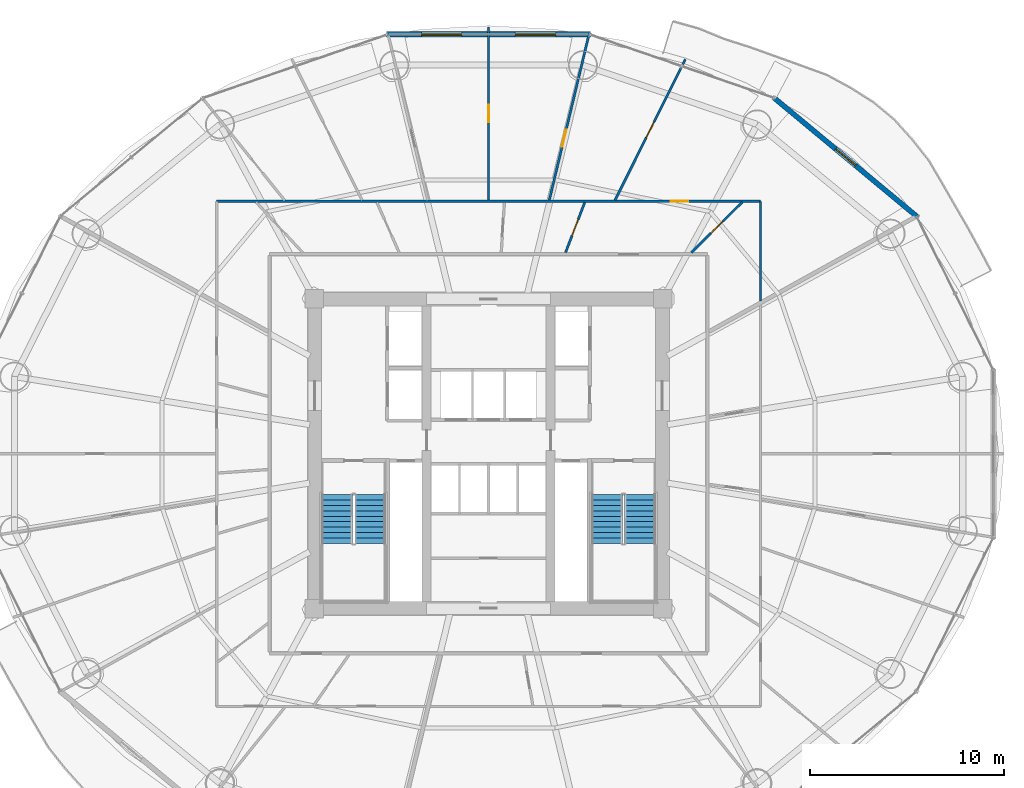
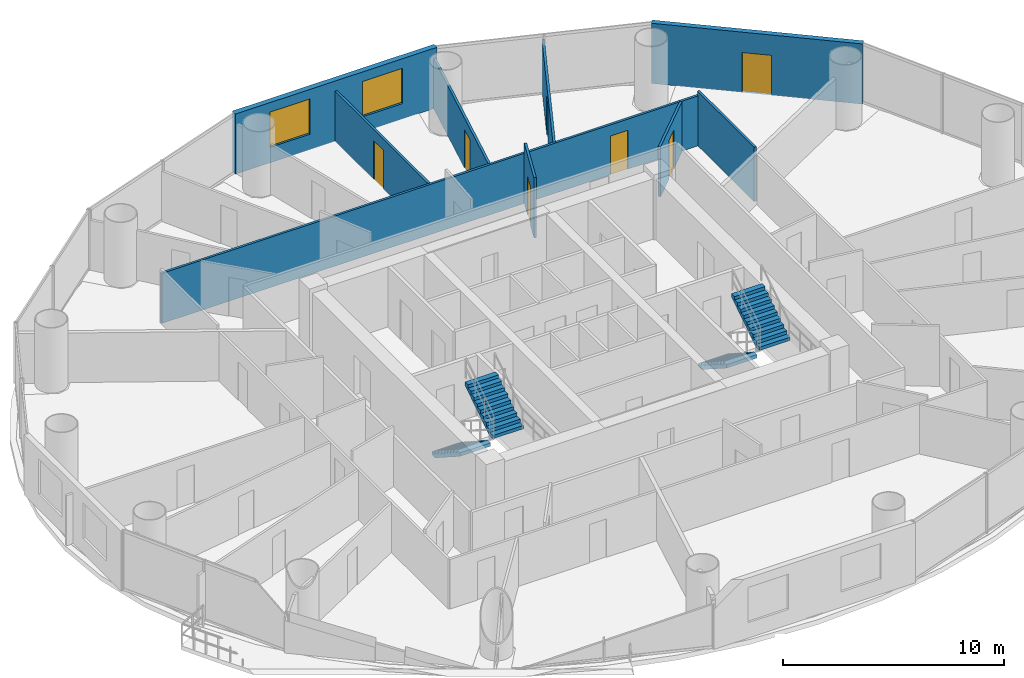
# One storey, part 25 of 29: 9 walls, 7 doors, 4 stair flights, 2 windows, 9 openings, 2 elements without a shape of their own.
"""IFC4 building model written with IfcOpenShell, lengths in metres."""

import ifcopenshell
import ifcopenshell.guid

model = None  # the IFC model being written
_history = None  # IfcOwnerHistory: only IFC2X3 demands one
_inside = {}  # id of a spatial element -> (the spatial element, [elements in it])
_under = {}  # id of a project, library or spatial element -> (it, [spatial elements below it])
_declared = {}  # id of a project -> (the project, [libraries it declares])
_typed = {}  # id of a type object -> (the type object, [elements of that type])
_made_of = {}  # id of a material, layer set ... -> (it, [elements and type objects made of it])


def new_model(schema):
    """Start an empty IFC model of exactly this schema.

    Asked for "IFC4X3", IfcOpenShell would pick the latest addendum, in which some entities
    have other attributes; the version numbers below select the first issue.
    IFC2X3 requires an IfcOwnerHistory on every rooted entity: one is made here for all.
    """
    global model, _history
    if schema == "IFC4X3":
        model = ifcopenshell.file(schema_version=(4, 3, 0, 0))
    else:
        model = ifcopenshell.file(schema=schema)
    _inside.clear()
    _under.clear()
    _declared.clear()
    _typed.clear()
    _made_of.clear()
    _history = None
    if model.schema == "IFC2X3":
        org = make("IfcOrganization", Name="unknown")
        user = make(
            "IfcPersonAndOrganization",
            ThePerson=make("IfcPerson", FamilyName="unknown"),
            TheOrganization=org,
        )
        app = make(
            "IfcApplication",
            ApplicationDeveloper=org,
            Version="unknown",
            ApplicationFullName="unknown",
            ApplicationIdentifier="unknown",
        )
        _history = make(
            "IfcOwnerHistory",
            OwningUser=user,
            OwningApplication=app,
            ChangeAction="ADDED",
            CreationDate=0,
        )
    return model


def make(cls, **values):
    """One entity of the class cls with the attributes given. An attribute that is None is left unset."""
    return model.create_entity(
        cls, **{name: value for name, value in values.items() if value is not None}
    )


def rooted(cls, **values):
    """An entity with a GlobalId (a new one), such as an element, a storey or a relation."""
    return make(cls, GlobalId=ifcopenshell.guid.new(), OwnerHistory=_history, **values)


def si_unit(unit_type, name, prefix=None):
    """IfcSIUnit, for example si_unit("LENGTHUNIT", "METRE", prefix="MILLI")."""
    return make("IfcSIUnit", UnitType=unit_type, Prefix=prefix, Name=name)


def assignment(units):
    """IfcUnitAssignment: the units of a project."""
    return None if units is None else make("IfcUnitAssignment", Units=units)


def point(xyz):
    """IfcCartesianPoint."""
    return None if xyz is None else make("IfcCartesianPoint", Coordinates=xyz)


def direction(xyz):
    """IfcDirection."""
    return None if xyz is None else make("IfcDirection", DirectionRatios=xyz)


def frame(location, z_axis=None, x_axis=None):
    """IfcAxis2Placement3D, a coordinate frame: its origin and axes. An axis left out is left unset."""
    return make(
        "IfcAxis2Placement3D",
        Location=point(location),
        Axis=direction(z_axis),
        RefDirection=direction(x_axis),
    )


def frame_2d(location, x_axis=None):
    """IfcAxis2Placement2D, a coordinate frame in the plane: its origin and x axis."""
    return make(
        "IfcAxis2Placement2D", Location=point(location), RefDirection=direction(x_axis)
    )


def origin():
    """The frame at (0, 0, 0) with its axes left unset."""
    return frame((0.0, 0.0, 0.0))


def place(relative_to, where):
    """IfcLocalPlacement: puts the frame where relative to a parent placement (None: the world)."""
    return make(
        "IfcLocalPlacement", PlacementRelTo=relative_to, RelativePlacement=where
    )


def context(
    kind, dimensions, precision=None, world=None, true_north=None, identifier=None
):
    """IfcGeometricRepresentationContext, for example the 3D "Model" context."""
    return make(
        "IfcGeometricRepresentationContext",
        ContextIdentifier=identifier,
        ContextType=kind,
        CoordinateSpaceDimension=dimensions,
        Precision=precision,
        WorldCoordinateSystem=world,
        TrueNorth=true_north,
    )


def subcontext(parent, identifier, kind, view, scale=None):
    """IfcGeometricRepresentationSubContext, for example "Body" below "Model"."""
    return make(
        "IfcGeometricRepresentationSubContext",
        ContextIdentifier=identifier,
        ContextType=kind,
        ParentContext=parent,
        TargetScale=scale,
        TargetView=view,
    )


def project(units=None, contexts=None):
    """IfcProject with its units and contexts."""
    return rooted(
        "IfcProject",
        Name="project",
        RepresentationContexts=contexts,
        UnitsInContext=assignment(units),
    )


def spatial(cls, under=None, at=None, **own):
    """A site, building, storey or space (cls), placed at a placement, below another one or the project."""
    s = rooted(cls, ObjectPlacement=at, **own)
    if under is not None:
        _under.setdefault(under.id(), (under, []))[1].append(s)
    return s


def polyline(points):
    """IfcPolyline through the points."""
    return make("IfcPolyline", Points=[point(p) for p in points])


def profile(cls, at=None, kind="AREA", **sizes):
    """A parametric profile (cls). Its sizes go by their IFC names, for example OverallWidth=200.0."""
    return make(cls, ProfileType=kind, Position=at, **sizes)


def rectangle(**sizes):
    """IfcRectangleProfileDef."""
    return profile("IfcRectangleProfileDef", **sizes)


def outline(outer, holes=None, kind="AREA"):
    """IfcArbitraryClosedProfileDef: a profile drawn as a closed curve; with holes, ...WithVoids."""
    if holes is None:
        return make("IfcArbitraryClosedProfileDef", ProfileType=kind, OuterCurve=outer)
    return make(
        "IfcArbitraryProfileDefWithVoids",
        ProfileType=kind,
        OuterCurve=outer,
        InnerCurves=holes,
    )


def extrude(swept, where, along, depth):
    """IfcExtrudedAreaSolid: the profile swept, set in the frame where, extruded along a direction by depth."""
    return make(
        "IfcExtrudedAreaSolid",
        SweptArea=swept,
        Position=where,
        ExtrudedDirection=direction(along),
        Depth=depth,
    )


def shape(context_of_items, identifier, shape_type, items):
    """IfcShapeRepresentation: the items that make up one representation, for example the "Body"."""
    return make(
        "IfcShapeRepresentation",
        ContextOfItems=context_of_items,
        RepresentationIdentifier=identifier,
        RepresentationType=shape_type,
        Items=items,
    )


def source(mapping_origin, context_of_items, identifier, shape_type, items):
    """IfcRepresentationMap: a shape defined once, which mapped items show again and again."""
    return make(
        "IfcRepresentationMap",
        MappingOrigin=mapping_origin,
        MappedRepresentation=shape(context_of_items, identifier, shape_type, items),
    )


def transform(
    local_origin,
    x_axis=None,
    y_axis=None,
    z_axis=None,
    scale=None,
    scale2=None,
    scale3=None,
    uniform=True,
):
    """IfcCartesianTransformationOperator3D, or its non-uniform kind. x_axis, y_axis, z_axis: its Axis1, 2, 3."""
    if uniform:
        return make(
            "IfcCartesianTransformationOperator3D",
            Axis1=direction(x_axis),
            Axis2=direction(y_axis),
            LocalOrigin=point(local_origin),
            Scale=scale,
            Axis3=direction(z_axis),
        )
    return make(
        "IfcCartesianTransformationOperator3DnonUniform",
        Axis1=direction(x_axis),
        Axis2=direction(y_axis),
        LocalOrigin=point(local_origin),
        Scale=scale,
        Axis3=direction(z_axis),
        Scale2=scale2,
        Scale3=scale3,
    )


def mapped(mapping_source, mapping_target):
    """IfcMappedItem: shows the shape of a source again, moved by a transform."""
    return make(
        "IfcMappedItem", MappingSource=mapping_source, MappingTarget=mapping_target
    )


def material(Name=None, Category=None):
    """IfcMaterial."""
    return make("IfcMaterial", Name=Name, Category=Category)


def layer(
    of_material, thickness, ventilated=None, Name=None, Category=None, Priority=None
):
    """IfcMaterialLayer: one layer of a wall or slab, of a material (None: an air gap)."""
    return make(
        "IfcMaterialLayer",
        Material=of_material,
        LayerThickness=thickness,
        IsVentilated=ventilated,
        Name=Name,
        Category=Category,
        Priority=Priority,
    )


def layer_set(layers, Name=None):
    """IfcMaterialLayerSet."""
    return make("IfcMaterialLayerSet", MaterialLayers=layers, LayerSetName=Name)


def made_of(thing, what):
    """Note that an element or type object is made of a material, layer set ...; save() writes the relation."""
    if what is not None:
        _made_of.setdefault(what.id(), (what, []))[1].append(thing)
    return thing


def type_object(cls, material=None, **own):
    """A type object (cls), such as IfcWallType, which elements share."""
    return made_of(rooted(cls, **own), material)


def element(
    cls,
    number,
    at=None,
    inside=None,
    cuts=None,
    type_object=None,
    material=None,
    context=None,
    identifier="Body",
    shape_type=None,
    held_by="IfcProductDefinitionShape",
    body=None,
    shapes=None,
    **own,
):
    """One element of the class cls, such as IfcWall. Its Tag is "e" and its number.

    at: its placement. inside: the storey or other place that contains it. cuts: it is an
    opening in that element (IfcRelVoidsElement). A single representation is given by context,
    identifier, shape_type and body (its items); several are given by shapes. held_by: the class
    of the entity that holds the representations. save() writes the other relations.
    """
    e = rooted(cls, Tag="e%d" % number, ObjectPlacement=at, **own)
    if body is not None:
        shapes = [shape(context, identifier, shape_type, body)]
    if shapes is not None:
        e.Representation = make(held_by, Representations=shapes)
    if inside is not None:
        _inside.setdefault(inside.id(), (inside, []))[1].append(e)
    if cuts is not None:
        rooted(
            "IfcRelVoidsElement", RelatingBuildingElement=cuts, RelatedOpeningElement=e
        )
    if type_object is not None:
        _typed.setdefault(type_object.id(), (type_object, []))[1].append(e)
    return made_of(e, material)


def fill(opening, filler):
    """IfcRelFillsElement: the door or window that sits in an opening."""
    return rooted(
        "IfcRelFillsElement",
        RelatingOpeningElement=opening,
        RelatedBuildingElement=filler,
    )


def aggregate(whole, parts):
    """IfcRelAggregates: a whole, such as a stair, and the parts it consists of."""
    return rooted("IfcRelAggregates", RelatingObject=whole, RelatedObjects=parts)


def save(model, path):
    """Write the relations noted so far, then the file.

    IfcRelAggregates (storeys below a building ...), IfcRelContainedInSpatialStructure (elements
    in a storey), IfcRelDefinesByType, IfcRelAssociatesMaterial and IfcRelDeclares: one each for
    every whole, place, type object, material and project.
    """
    for whole, parts in _under.values():
        aggregate(whole, parts)
    for where, things in _inside.values():
        rooted(
            "IfcRelContainedInSpatialStructure",
            RelatedElements=things,
            RelatingStructure=where,
        )
    for kind, things in _typed.values():
        rooted("IfcRelDefinesByType", RelatedObjects=things, RelatingType=kind)
    for what, things in _made_of.values():
        rooted("IfcRelAssociatesMaterial", RelatedObjects=things, RelatingMaterial=what)
    for by, libraries in _declared.values():
        rooted("IfcRelDeclares", RelatingContext=by, RelatedDefinitions=libraries)
    model.write(path)


model = new_model("IFC4")

# Units and contexts
model_context = context("Model", 3, precision=1e-05, world=origin(), true_north=direction((-0.2419218956, 0.970295726276)))
body_context = subcontext(model_context, "Body", "Model", "MODEL_VIEW")
ifc_project = project(units=[si_unit("LENGTHUNIT", "METRE"), si_unit("AREAUNIT", "SQUARE_METRE"), si_unit("VOLUMEUNIT", "CUBIC_METRE"), si_unit("PLANEANGLEUNIT", "RADIAN"), si_unit("MASSUNIT", "GRAM", prefix="KILO")], contexts=[model_context])

# Site, building, storey
site_placement = place(None, origin())
site = spatial("IfcSite", under=ifc_project, at=site_placement, CompositionType="ELEMENT")
building_placement = place(site_placement, origin())
building = spatial("IfcBuilding", under=site, at=building_placement, Name="Cobrevalo Terracotta Tower", CompositionType="ELEMENT")
storey_placement = place(building_placement, frame((0.0, 0.0, 94.199951171875)))
storey = spatial("IfcBuildingStorey", under=building, at=storey_placement, Name="L24", CompositionType="ELEMENT", Elevation=94.199951171875)

# Wall, openings, windows
ifc_material_1 = material(Name="Autoclaved aerated concrete block", Category="concrete")
ifc_layer_1 = layer(ifc_material_1, 0.280029296875)
ifc_layer_set_1 = layer_set([ifc_layer_1], Name="Autoclaved aerated concrete block")
wall_type_1 = type_object("IfcWallType", Name="Insulated tower spandrel & pier wall 280 mm with terracotta rainscreen", PredefinedType="SOLIDWALL", material=ifc_layer_set_1)
wall_1_placement = place(storey_placement, frame((43.263671875, 48.446044921875, 0.0), z_axis=(0.0, 0.0, 1.0), x_axis=(-1.0, 0.0, 0.0)))
wall_1 = element("IfcWall", 1, at=wall_1_placement, inside=storey, type_object=wall_type_1, Name="L24 terracotta rainscreen pier wall S04", PredefinedType="SOLIDWALL", context=body_context, shape_type="SweptSolid", body=[
    extrude(rectangle(XDim=10.52734375, YDim=0.280029296875, at=frame_2d((5.263671875, 0.0))), origin(), (0.0, 0.0, 1.0), 3.324951171875),
])
opening_1_placement = place(wall_1_placement, frame((1.792236328125, 0.0, 0.85009765625)))
opening_1 = element("IfcOpeningElement", 2, at=opening_1_placement, cuts=wall_1, Name="Opening WN-10", PredefinedType="OPENING", context=body_context, shape_type="SweptSolid", body=[
    extrude(rectangle(XDim=2.10009765625, YDim=1.949951171875, at=frame_2d((1.050048828125, 0.97509765625))), frame((0.0, 0.14990234375, 0.0), z_axis=(0.0, -1.0, 0.0), x_axis=(1.0, 0.0, 0.0)), (0.0, 0.0, 1.0), 0.300048828125),
])
opening_2_placement = place(wall_1_placement, frame((6.634765625, 0.0, 0.85009765625)))
opening_2 = element("IfcOpeningElement", 3, at=opening_2_placement, cuts=wall_1, Name="Opening WN-10", PredefinedType="OPENING", context=body_context, shape_type="SweptSolid", body=[
    extrude(rectangle(XDim=2.10009765625, YDim=1.949951171875, at=frame_2d((1.050048828125, 0.97509765625))), frame((0.0, 0.14990234375, 0.0), z_axis=(0.0, -1.0, 0.0), x_axis=(1.0, 0.0, 0.0)), (0.0, 0.0, 1.0), 0.300048828125),
])
ifc_material_2 = material(Name="Solar-control low-E double glazing", Category="glass")
window_type = type_object("IfcWindowType", Name="Wide panoramic low-E aluminium window 2100x1950", PartitioningType="SINGLE_PANEL", PredefinedType="WINDOW", material=ifc_material_2)
shared_shape_1 = source(origin(), body_context, "Body", "SweptSolid", [
    extrude(rectangle(XDim=2.10009765625, YDim=1.949951171875, at=frame_2d((1.050048828125, 0.97509765625))), frame((0.0, 0.030029296875, 0.0), z_axis=(0.0, -1.0, 0.0), x_axis=(1.0, 0.0, 0.0)), (0.0, 0.0, 1.0), 0.06005859375),
])
window_1_placement = place(opening_1_placement, origin())
window_1 = element("IfcWindow", 4, at=window_1_placement, inside=storey, type_object=window_type, Name="L24 suite window S04A", OverallHeight=1.949951171875, OverallWidth=2.10009765625, PartitioningType="SINGLE_PANEL", PredefinedType="WINDOW", context=body_context, shape_type="MappedRepresentation", body=[
    mapped(shared_shape_1, transform((0.0, 0.0, 0.0), scale=1.0)),
])
fill(opening_1, window_1)
window_2_placement = place(opening_2_placement, origin())
window_2 = element("IfcWindow", 5, at=window_2_placement, inside=storey, type_object=window_type, Name="L24 suite window S04B", OverallHeight=1.949951171875, OverallWidth=2.10009765625, PartitioningType="SINGLE_PANEL", PredefinedType="WINDOW", context=body_context, shape_type="MappedRepresentation", body=[
    mapped(shared_shape_1, transform((0.0, 0.0, 0.0), scale=1.0)),
])
fill(opening_2, window_2)

# Wall, opening, door
ifc_layer_2 = layer(ifc_material_1, 0.260009765625)
ifc_layer_set_2 = layer_set([ifc_layer_2], Name="Autoclaved aerated concrete block")
wall_type_2 = type_object("IfcWallType", Name="Recessed balcony loggia insulated exterior wall 260 mm", PredefinedType="SOLIDWALL", material=ifc_layer_set_2)
wall_2_placement = place(storey_placement, frame((60.15380859375, 39.01025390625, 0.0), z_axis=(0.0, 0.0, 1.0), x_axis=(-0.769242574941, 0.638956853706, 0.0)))
wall_2 = element("IfcWall", 6, at=wall_2_placement, inside=storey, type_object=wall_type_2, Name="L24 balcony loggia wall S02", PredefinedType="SOLIDWALL", context=body_context, shape_type="SweptSolid", body=[
    extrude(rectangle(XDim=9.68994140625, YDim=0.260009765625, at=frame_2d((4.844970703125, 0.0))), origin(), (0.0, 0.0, 1.0), 3.324951171875),
])
opening_3_placement = place(wall_2_placement, frame((4.169921875, 0.0, 0.0)))
opening_3 = element("IfcOpeningElement", 7, at=opening_3_placement, cuts=wall_2, Name="Opening ED-05", PredefinedType="OPENING", context=body_context, shape_type="SweptSolid", body=[
    extrude(rectangle(XDim=1.35009765625, YDim=2.199951171875, at=frame_2d((0.675048828125, 1.10009765625))), frame((0.0, 0.14013671875, 0.0), z_axis=(0.0, -1.0, 0.0), x_axis=(1.0, 0.0, 0.0)), (0.0, 0.0, 1.0), 0.280029296875),
])
ifc_material_3 = material(Name="Anodized aluminium and laminated glass", Category="aluminium")
door_type_1 = type_object("IfcDoorType", Name="Suite balcony acoustic glazed terrace door 1350x2200", OperationType="NOTDEFINED", PredefinedType="DOOR", material=ifc_material_3)
shared_shape_2 = source(origin(), body_context, "Body", "SweptSolid", [
    extrude(rectangle(XDim=1.35009765625, YDim=2.199951171875, at=frame_2d((0.675048828125, 1.10009765625))), frame((0.0, 0.02490234375, 0.0), z_axis=(0.0, -1.0, 0.0), x_axis=(1.0, 0.0, 0.0)), (0.0, 0.0, 1.0), 0.050048828125),
])
door_1_placement = place(opening_3_placement, frame((1.35009765625, 0.0, 0.0), z_axis=(0.0, 0.0, 1.0), x_axis=(-1.0, 0.0, 0.0)))
door_1 = element("IfcDoor", 8, at=door_1_placement, inside=storey, type_object=door_type_1, Name="L24 glazed balcony terrace door 1", OperationType="SINGLE_SWING_LEFT", OverallHeight=2.199951171875, OverallWidth=1.35009765625, PredefinedType="DOOR", context=body_context, shape_type="MappedRepresentation", body=[
    mapped(shared_shape_2, transform((0.0, 0.0, 0.0), scale=1.0)),
])
fill(opening_3, door_1)

ifc_material_4 = material(Name="Gypsum board on steel stud", Category="steel")
ifc_layer_3 = layer(ifc_material_4, 0.1201171875)
ifc_layer_set_3 = layer_set([ifc_layer_3], Name="Gypsum board on steel stud")
wall_type_3 = type_object("IfcWallType", Name="Residential internal acoustic stud partition 120 mm", PredefinedType="PARTITIONING", material=ifc_layer_set_3)
wall_3_placement = place(storey_placement, frame((23.965087890625, 39.8349609375, 0.0), z_axis=(0.0, 0.0, 1.0), x_axis=(1.0, 0.0, 0.0)))
wall_3 = element("IfcWall", 9, at=wall_3_placement, inside=storey, type_object=wall_type_3, Name="L24 interior partition IW-L24-U1-RING1_0", PredefinedType="PARTITIONING", context=body_context, shape_type="SweptSolid", body=[
    extrude(rectangle(XDim=28.06982421875, YDim=0.1201171875, at=frame_2d((14.034912109375, 0.0))), origin(), (0.0, 0.0, 1.0), 2.76708984375),
])
opening_4_placement = place(wall_3_placement, frame((23.442138671875, 0.0, 0.0)))
opening_4 = element("IfcOpeningElement", 10, at=opening_4_placement, cuts=wall_3, Name="Opening ID-12", PredefinedType="OPENING", context=body_context, shape_type="SweptSolid", body=[
    extrude(rectangle(XDim=0.89990234375, YDim=2.14990234375, at=frame_2d((0.449951171875, 1.074951171875))), frame((0.0, 0.070068359375, 0.0), z_axis=(0.0, -1.0, 0.0), x_axis=(1.0, 0.0, 0.0)), (0.0, 0.0, 1.0), 0.14013671875),
])
ifc_material_5 = material(Name="Engineered timber", Category="wood")
door_type_2 = type_object("IfcDoorType", Name="Internal residence & suite timber door 900x2150", OperationType="NOTDEFINED", PredefinedType="DOOR", material=ifc_material_5)
shared_shape_3 = source(origin(), body_context, "Body", "SweptSolid", [
    extrude(rectangle(XDim=0.89990234375, YDim=2.14990234375, at=frame_2d((0.449951171875, 1.074951171875))), frame((0.0, 0.02490234375, 0.0), z_axis=(0.0, -1.0, 0.0), x_axis=(1.0, 0.0, 0.0)), (0.0, 0.0, 1.0), 0.050048828125),
])
door_2_placement = place(opening_4_placement, origin())
door_2 = element("IfcDoor", 11, at=door_2_placement, inside=storey, type_object=door_type_2, Name="Flat L24A Living and Dining Room internal door", OperationType="SINGLE_SWING_RIGHT", OverallHeight=2.14990234375, OverallWidth=0.89990234375, PredefinedType="DOOR", context=body_context, shape_type="MappedRepresentation", body=[
    mapped(shared_shape_3, transform((0.0, 0.0, 0.0), scale=1.0)),
])
fill(opening_4, door_2)

# Wall
wall_4_placement = place(storey_placement, frame((52.034912109375, 39.8349609375, 0.0), z_axis=(0.0, 0.0, 1.0), x_axis=(0.0, -1.0, 0.0)))
element("IfcWall", 12, at=wall_4_placement, inside=storey, type_object=wall_type_3, Name="L24 interior partition IW-L24-U1-RING2_0", PredefinedType="PARTITIONING", context=body_context, shape_type="SweptSolid", body=[
    extrude(rectangle(XDim=5.1416015625, YDim=0.1201171875, at=frame_2d((2.57080078125, 0.0))), origin(), (0.0, 0.0, 1.0), 3.004150390625),
])

# Wall, opening, door
wall_5_placement = place(storey_placement, frame((44.5263671875, 39.890380859375, 0.0), z_axis=(0.0, 0.0, 1.0), x_axis=(0.446167584581, 0.894949432353, 0.0)))
wall_5 = element("IfcWall", 13, at=wall_5_placement, inside=storey, type_object=wall_type_3, Name="L24 interior partition IW-L24-U1-ORAD1", PredefinedType="PARTITIONING", context=body_context, shape_type="SweptSolid", body=[
    extrude(rectangle(XDim=8.124755859375, YDim=0.1201171875, at=frame_2d((4.0625, 0.0))), origin(), (0.0, 0.0, 1.0), 2.76708984375),
])
opening_5_placement = place(wall_5_placement, frame((3.6123046875, 0.0, 0.0)))
opening_5 = element("IfcOpeningElement", 14, at=opening_5_placement, cuts=wall_5, Name="Opening ID-12", PredefinedType="OPENING", context=body_context, shape_type="SweptSolid", body=[
    extrude(rectangle(XDim=0.89990234375, YDim=2.14990234375, at=frame_2d((0.449951171875, 1.074951171875))), frame((0.0, 0.070068359375, 0.0), z_axis=(0.0, -1.0, 0.0), x_axis=(1.0, 0.0, 0.0)), (0.0, 0.0, 1.0), 0.14013671875),
])
door_3_placement = place(opening_5_placement, origin())
door_3 = element("IfcDoor", 15, at=door_3_placement, inside=storey, type_object=door_type_2, Name="Flat L24A Master Bedroom internal door", OperationType="SINGLE_SWING_LEFT", OverallHeight=2.14990234375, OverallWidth=0.89990234375, PredefinedType="DOOR", context=body_context, shape_type="MappedRepresentation", body=[
    mapped(shared_shape_3, transform((0.0, 0.0, 0.0), scale=1.0)),
])
fill(opening_5, door_3)

wall_6_placement = place(storey_placement, frame((41.13525390625, 39.895263671875, 0.0), z_axis=(0.0, 0.0, 1.0), x_axis=(0.23282725047, 0.97251810854, 0.0)))
wall_6 = element("IfcWall", 16, at=wall_6_placement, inside=storey, type_object=wall_type_3, Name="L24 interior partition IW-L24-U1-ORAD2", PredefinedType="PARTITIONING", context=body_context, shape_type="SweptSolid", body=[
    extrude(rectangle(XDim=8.71484375, YDim=0.1201171875, at=frame_2d((4.357421875, 0.0))), origin(), (0.0, 0.0, 1.0), 2.76708984375),
])
opening_6_placement = place(wall_6_placement, frame((2.83056640625, 0.0, 0.0)))
opening_6 = element("IfcOpeningElement", 17, at=opening_6_placement, cuts=wall_6, Name="Opening ID-12", PredefinedType="OPENING", context=body_context, shape_type="SweptSolid", body=[
    extrude(rectangle(XDim=0.89990234375, YDim=2.14990234375, at=frame_2d((0.449951171875, 1.074951171875))), frame((0.0, 0.070068359375, 0.0), z_axis=(0.0, -1.0, 0.0), x_axis=(1.0, 0.0, 0.0)), (0.0, 0.0, 1.0), 0.14013671875),
])
door_4_placement = place(opening_6_placement, origin())
door_4 = element("IfcDoor", 18, at=door_4_placement, inside=storey, type_object=door_type_2, Name="Flat L24A Principal Guest Bedroom internal door", OperationType="SINGLE_SWING_RIGHT", OverallHeight=2.14990234375, OverallWidth=0.89990234375, PredefinedType="DOOR", context=body_context, shape_type="MappedRepresentation", body=[
    mapped(shared_shape_3, transform((0.0, 0.0, 0.0), scale=1.0)),
])
fill(opening_6, door_4)

wall_7_placement = place(storey_placement, frame((38.0, 39.89697265625, 0.0), z_axis=(0.0, 0.0, 1.0), x_axis=(0.0, 1.0, 0.0)))
wall_7 = element("IfcWall", 19, at=wall_7_placement, inside=storey, type_object=wall_type_3, Name="L24 interior partition IW-L24-U1-ORAD3M1", PredefinedType="PARTITIONING", context=body_context, shape_type="SweptSolid", body=[
    extrude(rectangle(XDim=8.943115234375, YDim=0.1201171875, at=frame_2d((4.4716796875, 0.0))), origin(), (0.0, 0.0, 1.0), 2.76708984375),
])
opening_7_placement = place(wall_7_placement, frame((4.021484375, 0.0, 0.0)))
opening_7 = element("IfcOpeningElement", 20, at=opening_7_placement, cuts=wall_7, Name="Opening ID-12", PredefinedType="OPENING", context=body_context, shape_type="SweptSolid", body=[
    extrude(rectangle(XDim=0.89990234375, YDim=2.14990234375, at=frame_2d((0.449951171875, 1.074951171875))), frame((0.0, 0.070068359375, 0.0), z_axis=(0.0, -1.0, 0.0), x_axis=(1.0, 0.0, 0.0)), (0.0, 0.0, 1.0), 0.14013671875),
])
door_5_placement = place(opening_7_placement, origin())
door_5 = element("IfcDoor", 21, at=door_5_placement, inside=storey, type_object=door_type_2, Name="Flat L24A North Bedroom internal door", OperationType="SINGLE_SWING_LEFT", OverallHeight=2.14990234375, OverallWidth=0.89990234375, PredefinedType="DOOR", context=body_context, shape_type="MappedRepresentation", body=[
    mapped(shared_shape_3, transform((0.0, 0.0, 0.0), scale=1.0)),
])
fill(opening_7, door_5)

wall_8_placement = place(storey_placement, frame((48.465087890625, 37.18505859375, 0.0), z_axis=(0.0, 0.0, 1.0), x_axis=(0.709839752998, 0.704363205359, 0.0)))
wall_8 = element("IfcWall", 22, at=wall_8_placement, inside=storey, type_object=wall_type_3, Name="L24 interior partition IW-L24-U1-IRAD1", PredefinedType="PARTITIONING", context=body_context, shape_type="SweptSolid", body=[
    extrude(rectangle(XDim=3.7001953125, YDim=0.1201171875, at=frame_2d((1.85009765625, 0.0))), origin(), (0.0, 0.0, 1.0), 2.76708984375),
])
opening_8_placement = place(wall_8_placement, frame((1.420166015625, 0.0, 0.0)))
opening_8 = element("IfcOpeningElement", 23, at=opening_8_placement, cuts=wall_8, Name="Opening ID-19", PredefinedType="OPENING", context=body_context, shape_type="SweptSolid", body=[
    extrude(rectangle(XDim=0.860107421875, YDim=2.14990234375, at=frame_2d((0.43017578125, 1.074951171875))), frame((0.0, 0.070068359375, 0.0), z_axis=(0.0, -1.0, 0.0), x_axis=(1.0, 0.0, 0.0)), (0.0, 0.0, 1.0), 0.14013671875),
])
ifc_material_6 = material(Name="Moisture-sealed timber", Category="wood")
door_type_3 = type_object("IfcDoorType", Name="Suite bathroom internal timber door 860x2150", OperationType="NOTDEFINED", PredefinedType="DOOR", material=ifc_material_6)
shared_shape_4 = source(origin(), body_context, "Body", "SweptSolid", [
    extrude(rectangle(XDim=0.860107421875, YDim=2.14990234375, at=frame_2d((0.43017578125, 1.074951171875))), frame((0.0, 0.02490234375, 0.0), z_axis=(0.0, -1.0, 0.0), x_axis=(1.0, 0.0, 0.0)), (0.0, 0.0, 1.0), 0.050048828125),
])
door_6_placement = place(opening_8_placement, frame((0.860107421875, 0.0, 0.0), z_axis=(0.0, 0.0, 1.0), x_axis=(-1.0, 0.0, 0.0)))
door_6 = element("IfcDoor", 24, at=door_6_placement, inside=storey, type_object=door_type_3, Name="Flat L24A Primary Bathroom internal door", OperationType="SINGLE_SWING_LEFT", OverallHeight=2.14990234375, OverallWidth=0.860107421875, PredefinedType="DOOR", context=body_context, shape_type="MappedRepresentation", body=[
    mapped(shared_shape_4, transform((0.0, 0.0, 0.0), scale=1.0)),
])
fill(opening_8, door_6)

wall_9_placement = place(storey_placement, frame((41.97119140625, 37.18505859375, 0.0), z_axis=(0.0, 0.0, 1.0), x_axis=(0.357180358075, 0.934035433913, 0.0)))
wall_9 = element("IfcWall", 25, at=wall_9_placement, inside=storey, type_object=wall_type_3, Name="L24 interior partition IW-L24-U1-IRAD2", PredefinedType="PARTITIONING", context=body_context, shape_type="SweptSolid", body=[
    extrude(rectangle(XDim=2.775146484375, YDim=0.1201171875, at=frame_2d((1.3876953125, 0.0))), origin(), (0.0, 0.0, 1.0), 3.324951171875),
])
opening_9_placement = place(wall_9_placement, frame((0.9375, 0.0, 0.0)))
opening_9 = element("IfcOpeningElement", 26, at=opening_9_placement, cuts=wall_9, Name="Opening ID-12", PredefinedType="OPENING", context=body_context, shape_type="SweptSolid", body=[
    extrude(rectangle(XDim=0.89990234375, YDim=2.14990234375, at=frame_2d((0.449951171875, 1.074951171875))), frame((0.0, 0.070068359375, 0.0), z_axis=(0.0, -1.0, 0.0), x_axis=(1.0, 0.0, 0.0)), (0.0, 0.0, 1.0), 0.14013671875),
])
door_7_placement = place(opening_9_placement, origin())
door_7 = element("IfcDoor", 27, at=door_7_placement, inside=storey, type_object=door_type_2, Name="Flat L24A Kitchen internal door", OperationType="SINGLE_SWING_LEFT", OverallHeight=2.14990234375, OverallWidth=0.89990234375, PredefinedType="DOOR", context=body_context, shape_type="MappedRepresentation", body=[
    mapped(shared_shape_3, transform((0.0, 0.0, 0.0), scale=1.0)),
])
fill(opening_9, door_7)

# Stair, stair flights
ifc_material_7 = material(Name="Concrete C50", Category="concrete")
stair_type = type_object("IfcStairType", Name="Core protected escape dogleg stair 1600", PredefinedType="HALF_TURN_STAIR", material=ifc_material_7)
stair_1_placement = place(storey_placement, origin())
stair_1 = element("IfcStair", 28, at=stair_1_placement, inside=storey, type_object=stair_type, Name="L24 Protected exit stair ST-1", PredefinedType="HALF_TURN_STAIR")
stair_flight_type = type_object("IfcStairFlightType", Name="Core protected escape dogleg stair 1600 flight", PredefinedType="STRAIGHT", material=ifc_material_7)
stair_flight_1_placement = place(storey_placement, frame((30.175048828125, 24.699951171875, 0.0), z_axis=(0.0, 0.0, 1.0), x_axis=(0.0, -1.0, 0.0)))
stair_flight_1 = element("IfcStairFlight", 29, at=stair_flight_1_placement, type_object=stair_flight_type, Name="ST-1 flight 1", NumberOfRisers=10, NumberOfTreads=9, PredefinedType="STRAIGHT", RiserHeight=0.18, TreadLength=0.28, context=body_context, shape_type="SweptSolid", body=[
    extrude(outline(polyline([(0.0, 0.0), (0.0, 0.179931640625), (0.280029296875, 0.179931640625), (0.280029296875, 0.360107421875), (0.56005859375, 0.360107421875), (0.56005859375, 0.5400390625), (0.840087890625, 0.5400390625), (0.840087890625, 0.719970703125), (1.1201171875, 0.719970703125), (1.1201171875, 0.89990234375), (1.39990234375, 0.89990234375), (1.39990234375, 1.080078125), (1.679931640625, 1.080078125), (1.679931640625, 1.260009765625), (1.9599609375, 1.260009765625), (1.9599609375, 1.43994140625), (2.239990234375, 1.43994140625), (2.239990234375, 1.6201171875), (2.52001953125, 1.6201171875), (2.52001953125, 1.800048828125), (2.52001953125, 1.429931640625), (0.295654296875, 0.0), (0.0, 0.0)])), frame((0.0, 0.800048828125, 0.0), z_axis=(0.0, -1.0, 0.0), x_axis=(1.0, 0.0, 0.0)), (0.0, 0.0, 1.0), 1.60009765625),
])
stair_flight_2_placement = place(storey_placement, frame((31.89501953125, 22.179931640625, 1.800048828125), z_axis=(0.0, 0.0, 1.0), x_axis=(0.0, 1.0, 0.0)))
stair_flight_2 = element("IfcStairFlight", 30, at=stair_flight_2_placement, type_object=stair_flight_type, Name="ST-1 flight 2", NumberOfRisers=10, NumberOfTreads=9, PredefinedType="STRAIGHT", RiserHeight=0.18, TreadLength=0.28, context=body_context, shape_type="SweptSolid", body=[
    extrude(outline(polyline([(0.0, 0.0), (0.0, 0.179931640625), (0.280029296875, 0.179931640625), (0.280029296875, 0.360107421875), (0.56005859375, 0.360107421875), (0.56005859375, 0.5400390625), (0.840087890625, 0.5400390625), (0.840087890625, 0.719970703125), (1.1201171875, 0.719970703125), (1.1201171875, 0.89990234375), (1.39990234375, 0.89990234375), (1.39990234375, 1.080078125), (1.679931640625, 1.080078125), (1.679931640625, 1.260009765625), (1.9599609375, 1.260009765625), (1.9599609375, 1.43994140625), (2.239990234375, 1.43994140625), (2.239990234375, 1.6201171875), (2.52001953125, 1.6201171875), (2.52001953125, 1.800048828125), (2.52001953125, 1.429931640625), (0.295654296875, 0.0), (0.0, 0.0)])), frame((0.0, 0.800048828125, 0.0), z_axis=(0.0, -1.0, 0.0), x_axis=(1.0, 0.0, 0.0)), (0.0, 0.0, 1.0), 1.60009765625),
])
aggregate(stair_1, [stair_flight_1, stair_flight_2])

stair_2_placement = place(storey_placement, origin())
stair_2 = element("IfcStair", 31, at=stair_2_placement, inside=storey, type_object=stair_type, Name="L24 Protected exit stair ST-2", PredefinedType="HALF_TURN_STAIR")
stair_flight_3_placement = place(storey_placement, frame((44.10498046875, 24.699951171875, 0.0), z_axis=(0.0, 0.0, 1.0), x_axis=(0.0, -1.0, 0.0)))
stair_flight_3 = element("IfcStairFlight", 32, at=stair_flight_3_placement, type_object=stair_flight_type, Name="ST-2 flight 1", NumberOfRisers=10, NumberOfTreads=9, PredefinedType="STRAIGHT", RiserHeight=0.18, TreadLength=0.28, context=body_context, shape_type="SweptSolid", body=[
    extrude(outline(polyline([(0.0, 0.0), (0.0, 0.179931640625), (0.280029296875, 0.179931640625), (0.280029296875, 0.360107421875), (0.56005859375, 0.360107421875), (0.56005859375, 0.5400390625), (0.840087890625, 0.5400390625), (0.840087890625, 0.719970703125), (1.1201171875, 0.719970703125), (1.1201171875, 0.89990234375), (1.39990234375, 0.89990234375), (1.39990234375, 1.080078125), (1.679931640625, 1.080078125), (1.679931640625, 1.260009765625), (1.9599609375, 1.260009765625), (1.9599609375, 1.43994140625), (2.239990234375, 1.43994140625), (2.239990234375, 1.6201171875), (2.52001953125, 1.6201171875), (2.52001953125, 1.800048828125), (2.52001953125, 1.429931640625), (0.295654296875, 0.0), (0.0, 0.0)])), frame((0.0, 0.800048828125, 0.0), z_axis=(0.0, -1.0, 0.0), x_axis=(1.0, 0.0, 0.0)), (0.0, 0.0, 1.0), 1.60009765625),
])
stair_flight_4_placement = place(storey_placement, frame((45.824951171875, 22.179931640625, 1.800048828125), z_axis=(0.0, 0.0, 1.0), x_axis=(0.0, 1.0, 0.0)))
stair_flight_4 = element("IfcStairFlight", 33, at=stair_flight_4_placement, type_object=stair_flight_type, Name="ST-2 flight 2", NumberOfRisers=10, NumberOfTreads=9, PredefinedType="STRAIGHT", RiserHeight=0.18, TreadLength=0.28, context=body_context, shape_type="SweptSolid", body=[
    extrude(outline(polyline([(0.0, 0.0), (0.0, 0.179931640625), (0.280029296875, 0.179931640625), (0.280029296875, 0.360107421875), (0.56005859375, 0.360107421875), (0.56005859375, 0.5400390625), (0.840087890625, 0.5400390625), (0.840087890625, 0.719970703125), (1.1201171875, 0.719970703125), (1.1201171875, 0.89990234375), (1.39990234375, 0.89990234375), (1.39990234375, 1.080078125), (1.679931640625, 1.080078125), (1.679931640625, 1.260009765625), (1.9599609375, 1.260009765625), (1.9599609375, 1.43994140625), (2.239990234375, 1.43994140625), (2.239990234375, 1.6201171875), (2.52001953125, 1.6201171875), (2.52001953125, 1.800048828125), (2.52001953125, 1.429931640625), (0.295654296875, 0.0), (0.0, 0.0)])), frame((0.0, 0.800048828125, 0.0), z_axis=(0.0, -1.0, 0.0), x_axis=(1.0, 0.0, 0.0)), (0.0, 0.0, 1.0), 1.60009765625),
])
aggregate(stair_2, [stair_flight_3, stair_flight_4])

save(model, "model.ifc")
